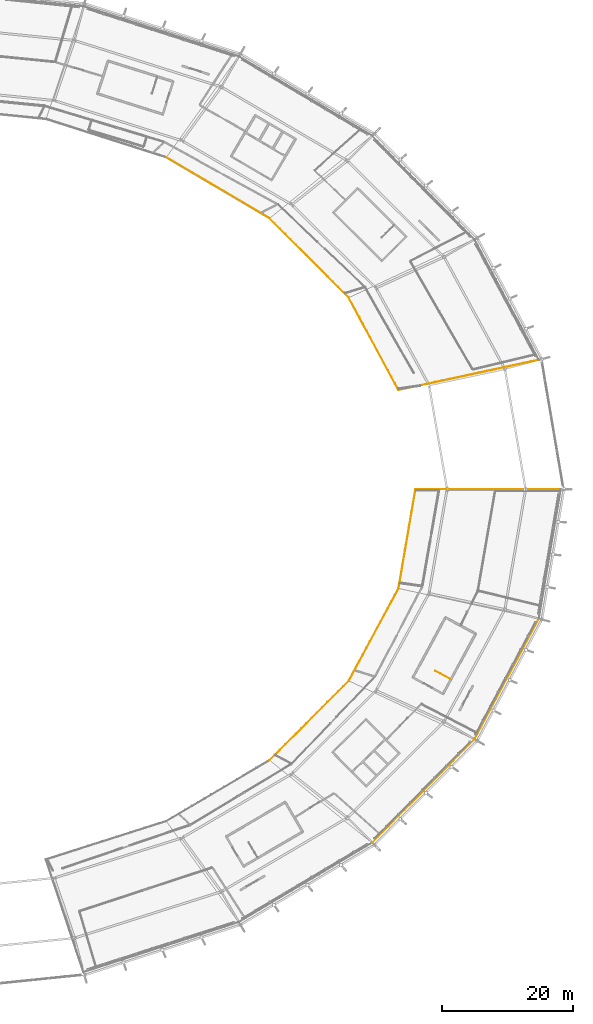
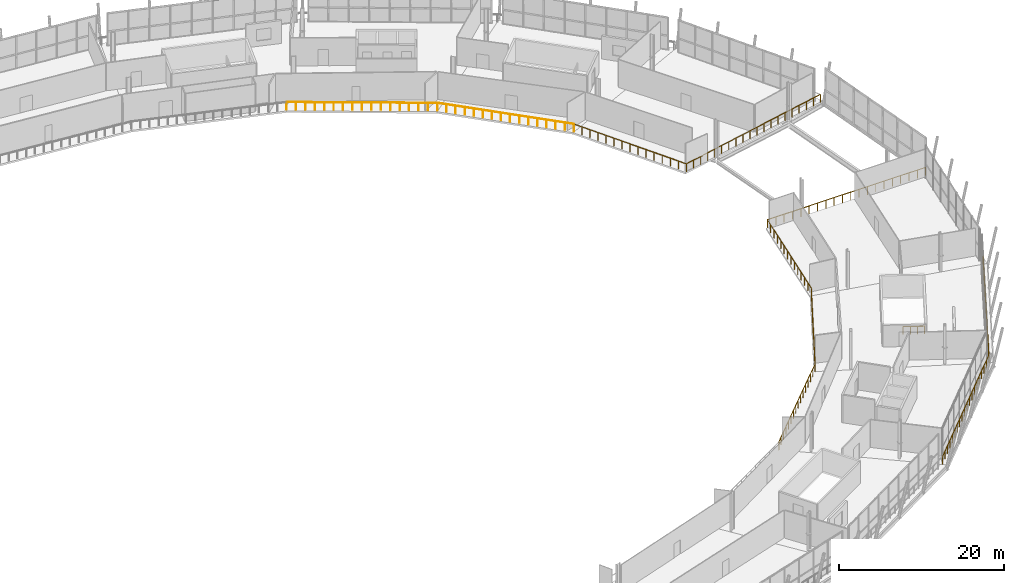
# One storey, part 96 of 99: 11 railings.
"""IFC4 building model written with IfcOpenShell, lengths in metres."""

from ifc_helpers import new_model, si_unit, direction, frame, origin, origin_2d, place, context, subcontext, project, spatial, rectangle, extrude, material, type_object, element, save


model = new_model("IFC4")

# Units and contexts
model_context = context("Model", 3, precision=1e-05, world=origin(), true_north=direction((0.0, 1.0)))
body_context = subcontext(model_context, "Body", "Model", "MODEL_VIEW")
ifc_project = project(units=[si_unit("LENGTHUNIT", "METRE"), si_unit("AREAUNIT", "SQUARE_METRE"), si_unit("VOLUMEUNIT", "CUBIC_METRE"), si_unit("PLANEANGLEUNIT", "RADIAN"), si_unit("MASSUNIT", "GRAM", prefix="KILO")], contexts=[model_context])

# Site, building, storey
site_placement = place(None, origin())
site = spatial("IfcSite", under=ifc_project, at=site_placement, CompositionType="ELEMENT")
building_placement = place(site_placement, origin())
building = spatial("IfcBuilding", under=site, at=building_placement, Name="Zlatoyarsky Gate Stadium", CompositionType="ELEMENT")
storey_placement = place(building_placement, frame((0.0, 0.0, 26.199951171875)))
storey = spatial("IfcBuildingStorey", under=building, at=storey_placement, Name="L05", CompositionType="ELEMENT", Elevation=26.199951171875)

# Railings
ifc_material_1 = material(Name="Powder-coated steel tubular guardrail", Category="steel")
railing_type_1 = type_object("IfcRailingType", Name="CONCOURSE SLAB EDGE GUARDRAIL 1200", PredefinedType="GUARDRAIL", material=ifc_material_1)
railing_1_placement = place(storey_placement, frame((184.584228515625, 95.16162109375, 0.0)))
element("IfcRailing", 1, at=railing_1_placement, inside=storey, type_object=railing_type_1, Name="L05 inner bowl edge guardrail 01", PredefinedType="GUARDRAIL", context=body_context, shape_type="SweptSolid", body=[
    extrude(rectangle(XDim=0.048095703125, YDim=0.048095703125, at=origin_2d()), frame((0.0, 0.0, 1.17578125), z_axis=(-0.474232271998, 0.880399768398, 0.0), x_axis=(-0.880399768398, -0.474232271998, 0.0)), (0.0, 0.0, 1.0), 16.0478515625),
    extrude(rectangle(XDim=0.0419921875, YDim=0.0419921875, at=origin_2d()), origin(), (0.0, 0.0, 1.0), 1.15185546875),
    extrude(rectangle(XDim=0.0419921875, YDim=0.0419921875, at=origin_2d()), frame((-0.543701171875, 1.00927734375, 0.0)), (0.0, 0.0, 1.0), 1.15185546875),
    extrude(rectangle(XDim=0.0419921875, YDim=0.0419921875, at=origin_2d()), frame((-1.087158203125, 2.018310546875, 0.0)), (0.0, 0.0, 1.0), 1.15185546875),
    extrude(rectangle(XDim=0.0419921875, YDim=0.0419921875, at=origin_2d()), frame((-1.630859375, 3.027587890625, 0.0)), (0.0, 0.0, 1.0), 1.15185546875),
    extrude(rectangle(XDim=0.0419921875, YDim=0.0419921875, at=origin_2d()), frame((-2.17431640625, 4.03662109375, 0.0)), (0.0, 0.0, 1.0), 1.15185546875),
    extrude(rectangle(XDim=0.0419921875, YDim=0.0419921875, at=origin_2d()), frame((-2.718017578125, 5.0458984375, 0.0)), (0.0, 0.0, 1.0), 1.15185546875),
    extrude(rectangle(XDim=0.0419921875, YDim=0.0419921875, at=origin_2d()), frame((-3.261474609375, 6.054931640625, 0.0)), (0.0, 0.0, 1.0), 1.15185546875),
    extrude(rectangle(XDim=0.0419921875, YDim=0.0419921875, at=origin_2d()), frame((-3.80517578125, 7.064208984375, 0.0)), (0.0, 0.0, 1.0), 1.15185546875),
    extrude(rectangle(XDim=0.0419921875, YDim=0.0419921875, at=origin_2d()), frame((-4.348876953125, 8.073486328125, 0.0)), (0.0, 0.0, 1.0), 1.15185546875),
    extrude(rectangle(XDim=0.0419921875, YDim=0.0419921875, at=origin_2d()), frame((-4.892333984375, 9.08251953125, 0.0)), (0.0, 0.0, 1.0), 1.15185546875),
    extrude(rectangle(XDim=0.0419921875, YDim=0.0419921875, at=origin_2d()), frame((-5.43603515625, 10.091796875, 0.0)), (0.0, 0.0, 1.0), 1.15185546875),
    extrude(rectangle(XDim=0.0419921875, YDim=0.0419921875, at=origin_2d()), frame((-5.9794921875, 11.100830078125, 0.0)), (0.0, 0.0, 1.0), 1.15185546875),
    extrude(rectangle(XDim=0.0419921875, YDim=0.0419921875, at=origin_2d()), frame((-6.523193359375, 12.110107421875, 0.0)), (0.0, 0.0, 1.0), 1.15185546875),
    extrude(rectangle(XDim=0.0419921875, YDim=0.0419921875, at=origin_2d()), frame((-7.066650390625, 13.119140625, 0.0)), (0.0, 0.0, 1.0), 1.15185546875),
    extrude(rectangle(XDim=0.0419921875, YDim=0.0419921875, at=origin_2d()), frame((-7.6103515625, 14.12841796875, 0.0)), (0.0, 0.0, 1.0), 1.15185546875),
])
railing_2_placement = place(storey_placement, frame((176.973876953125, 109.2900390625, 0.0)))
element("IfcRailing", 2, at=railing_2_placement, inside=storey, type_object=railing_type_1, Name="L05 inner bowl edge guardrail 02", PredefinedType="GUARDRAIL", context=body_context, shape_type="SweptSolid", body=[
    extrude(rectangle(XDim=0.048095703125, YDim=0.048095703125, at=origin_2d()), frame((0.0, 0.0, 1.17578125), z_axis=(-0.706351424842, 0.707861331493, 0.0), x_axis=(-0.707861331493, -0.706351424842, 0.0)), (0.0, 0.0, 1.0), 17.139404296875),
    extrude(rectangle(XDim=0.0419921875, YDim=0.0419921875, at=origin_2d()), origin(), (0.0, 0.0, 1.0), 1.15185546875),
    extrude(rectangle(XDim=0.0419921875, YDim=0.0419921875, at=origin_2d()), frame((-0.80712890625, 0.808837890625, 0.0)), (0.0, 0.0, 1.0), 1.15185546875),
    extrude(rectangle(XDim=0.0419921875, YDim=0.0419921875, at=origin_2d()), frame((-1.6142578125, 1.61767578125, 0.0)), (0.0, 0.0, 1.0), 1.15185546875),
    extrude(rectangle(XDim=0.0419921875, YDim=0.0419921875, at=origin_2d()), frame((-2.42138671875, 2.426513671875, 0.0)), (0.0, 0.0, 1.0), 1.15185546875),
    extrude(rectangle(XDim=0.0419921875, YDim=0.0419921875, at=origin_2d()), frame((-3.228271484375, 3.2353515625, 0.0)), (0.0, 0.0, 1.0), 1.15185546875),
    extrude(rectangle(XDim=0.0419921875, YDim=0.0419921875, at=origin_2d()), frame((-4.035400390625, 4.044189453125, 0.0)), (0.0, 0.0, 1.0), 1.15185546875),
    extrude(rectangle(XDim=0.0419921875, YDim=0.0419921875, at=origin_2d()), frame((-4.842529296875, 4.85302734375, 0.0)), (0.0, 0.0, 1.0), 1.15185546875),
    extrude(rectangle(XDim=0.0419921875, YDim=0.0419921875, at=origin_2d()), frame((-5.649658203125, 5.661865234375, 0.0)), (0.0, 0.0, 1.0), 1.15185546875),
    extrude(rectangle(XDim=0.0419921875, YDim=0.0419921875, at=origin_2d()), frame((-6.456787109375, 6.470458984375, 0.0)), (0.0, 0.0, 1.0), 1.15185546875),
    extrude(rectangle(XDim=0.0419921875, YDim=0.0419921875, at=origin_2d()), frame((-7.263916015625, 7.279296875, 0.0)), (0.0, 0.0, 1.0), 1.15185546875),
    extrude(rectangle(XDim=0.0419921875, YDim=0.0419921875, at=origin_2d()), frame((-8.071044921875, 8.088134765625, 0.0)), (0.0, 0.0, 1.0), 1.15185546875),
    extrude(rectangle(XDim=0.0419921875, YDim=0.0419921875, at=origin_2d()), frame((-8.878173828125, 8.89697265625, 0.0)), (0.0, 0.0, 1.0), 1.15185546875),
    extrude(rectangle(XDim=0.0419921875, YDim=0.0419921875, at=origin_2d()), frame((-9.68505859375, 9.705810546875, 0.0)), (0.0, 0.0, 1.0), 1.15185546875),
    extrude(rectangle(XDim=0.0419921875, YDim=0.0419921875, at=origin_2d()), frame((-10.4921875, 10.5146484375, 0.0)), (0.0, 0.0, 1.0), 1.15185546875),
    extrude(rectangle(XDim=0.0419921875, YDim=0.0419921875, at=origin_2d()), frame((-11.29931640625, 11.323486328125, 0.0)), (0.0, 0.0, 1.0), 1.15185546875),
    extrude(rectangle(XDim=0.0419921875, YDim=0.0419921875, at=origin_2d()), frame((-12.1064453125, 12.13232421875, 0.0)), (0.0, 0.0, 1.0), 1.15185546875),
])
railing_3_placement = place(storey_placement, frame((164.867431640625, 121.42236328125, 0.0)))
element("IfcRailing", 3, at=railing_3_placement, inside=storey, type_object=railing_type_1, Name="L05 inner bowl edge guardrail 03", PredefinedType="GUARDRAIL", context=body_context, shape_type="SweptSolid", body=[
    extrude(rectangle(XDim=0.048095703125, YDim=0.048095703125, at=origin_2d()), frame((0.0, 0.0, 1.17578125), z_axis=(-0.861252692378, 0.508176937563, 0.0), x_axis=(-0.508176937563, -0.861252692378, 0.0)), (0.0, 0.0, 1.0), 18.319091796875),
    extrude(rectangle(XDim=0.0419921875, YDim=0.0419921875, at=origin_2d()), origin(), (0.0, 0.0, 1.0), 1.15185546875),
    extrude(rectangle(XDim=0.0419921875, YDim=0.0419921875, at=origin_2d()), frame((-0.986083984375, 0.581787109375, 0.0)), (0.0, 0.0, 1.0), 1.15185546875),
    extrude(rectangle(XDim=0.0419921875, YDim=0.0419921875, at=origin_2d()), frame((-1.97216796875, 1.16357421875, 0.0)), (0.0, 0.0, 1.0), 1.15185546875),
    extrude(rectangle(XDim=0.0419921875, YDim=0.0419921875, at=origin_2d()), frame((-2.958251953125, 1.74560546875, 0.0)), (0.0, 0.0, 1.0), 1.15185546875),
    extrude(rectangle(XDim=0.0419921875, YDim=0.0419921875, at=origin_2d()), frame((-3.9443359375, 2.327392578125, 0.0)), (0.0, 0.0, 1.0), 1.15185546875),
    extrude(rectangle(XDim=0.0419921875, YDim=0.0419921875, at=origin_2d()), frame((-4.930419921875, 2.9091796875, 0.0)), (0.0, 0.0, 1.0), 1.15185546875),
    extrude(rectangle(XDim=0.0419921875, YDim=0.0419921875, at=origin_2d()), frame((-5.91650390625, 3.490966796875, 0.0)), (0.0, 0.0, 1.0), 1.15185546875),
    extrude(rectangle(XDim=0.0419921875, YDim=0.0419921875, at=origin_2d()), frame((-6.902587890625, 4.07275390625, 0.0)), (0.0, 0.0, 1.0), 1.15185546875),
    extrude(rectangle(XDim=0.0419921875, YDim=0.0419921875, at=origin_2d()), frame((-7.888671875, 4.65478515625, 0.0)), (0.0, 0.0, 1.0), 1.15185546875),
    extrude(rectangle(XDim=0.0419921875, YDim=0.0419921875, at=origin_2d()), frame((-8.874755859375, 5.236572265625, 0.0)), (0.0, 0.0, 1.0), 1.15185546875),
    extrude(rectangle(XDim=0.0419921875, YDim=0.0419921875, at=origin_2d()), frame((-9.86083984375, 5.818359375, 0.0)), (0.0, 0.0, 1.0), 1.15185546875),
    extrude(rectangle(XDim=0.0419921875, YDim=0.0419921875, at=origin_2d()), frame((-10.846923828125, 6.400146484375, 0.0)), (0.0, 0.0, 1.0), 1.15185546875),
    extrude(rectangle(XDim=0.0419921875, YDim=0.0419921875, at=origin_2d()), frame((-11.8330078125, 6.98193359375, 0.0)), (0.0, 0.0, 1.0), 1.15185546875),
    extrude(rectangle(XDim=0.0419921875, YDim=0.0419921875, at=origin_2d()), frame((-12.819091796875, 7.563720703125, 0.0)), (0.0, 0.0, 1.0), 1.15185546875),
    extrude(rectangle(XDim=0.0419921875, YDim=0.0419921875, at=origin_2d()), frame((-13.80517578125, 8.145751953125, 0.0)), (0.0, 0.0, 1.0), 1.15185546875),
    extrude(rectangle(XDim=0.0419921875, YDim=0.0419921875, at=origin_2d()), frame((-14.791259765625, 8.7275390625, 0.0)), (0.0, 0.0, 1.0), 1.15185546875),
    extrude(rectangle(XDim=0.0419921875, YDim=0.0419921875, at=origin_2d()), frame((-15.77734375, 9.309326171875, 0.0)), (0.0, 0.0, 1.0), 1.15185546875),
])
railing_4_placement = place(storey_placement, frame((164.867431640625, 38.57763671875, 0.0)))
element("IfcRailing", 4, at=railing_4_placement, inside=storey, type_object=railing_type_1, Name="L05 inner bowl edge guardrail 21", PredefinedType="GUARDRAIL", context=body_context, shape_type="SweptSolid", body=[
    extrude(rectangle(XDim=0.048095703125, YDim=0.048095703125, at=origin_2d()), frame((0.0, 0.0, 1.17578125), z_axis=(0.706351424842, 0.707861331493, 0.0), x_axis=(-0.707861331493, 0.706351424842, 0.0)), (0.0, 0.0, 1.0), 17.139404296875),
    extrude(rectangle(XDim=0.0419921875, YDim=0.0419921875, at=origin_2d()), origin(), (0.0, 0.0, 1.0), 1.15185546875),
    extrude(rectangle(XDim=0.0419921875, YDim=0.0419921875, at=origin_2d()), frame((0.80712890625, 0.808837890625, 0.0)), (0.0, 0.0, 1.0), 1.15185546875),
    extrude(rectangle(XDim=0.0419921875, YDim=0.0419921875, at=origin_2d()), frame((1.6142578125, 1.61767578125, 0.0)), (0.0, 0.0, 1.0), 1.15185546875),
    extrude(rectangle(XDim=0.0419921875, YDim=0.0419921875, at=origin_2d()), frame((2.42138671875, 2.426513671875, 0.0)), (0.0, 0.0, 1.0), 1.15185546875),
    extrude(rectangle(XDim=0.0419921875, YDim=0.0419921875, at=origin_2d()), frame((3.228271484375, 3.2353515625, 0.0)), (0.0, 0.0, 1.0), 1.15185546875),
    extrude(rectangle(XDim=0.0419921875, YDim=0.0419921875, at=origin_2d()), frame((4.035400390625, 4.044189453125, 0.0)), (0.0, 0.0, 1.0), 1.15185546875),
    extrude(rectangle(XDim=0.0419921875, YDim=0.0419921875, at=origin_2d()), frame((4.842529296875, 4.85302734375, 0.0)), (0.0, 0.0, 1.0), 1.15185546875),
    extrude(rectangle(XDim=0.0419921875, YDim=0.0419921875, at=origin_2d()), frame((5.649658203125, 5.661865234375, 0.0)), (0.0, 0.0, 1.0), 1.15185546875),
    extrude(rectangle(XDim=0.0419921875, YDim=0.0419921875, at=origin_2d()), frame((6.456787109375, 6.470458984375, 0.0)), (0.0, 0.0, 1.0), 1.15185546875),
    extrude(rectangle(XDim=0.0419921875, YDim=0.0419921875, at=origin_2d()), frame((7.263916015625, 7.279296875, 0.0)), (0.0, 0.0, 1.0), 1.15185546875),
    extrude(rectangle(XDim=0.0419921875, YDim=0.0419921875, at=origin_2d()), frame((8.071044921875, 8.088134765625, 0.0)), (0.0, 0.0, 1.0), 1.15185546875),
    extrude(rectangle(XDim=0.0419921875, YDim=0.0419921875, at=origin_2d()), frame((8.878173828125, 8.89697265625, 0.0)), (0.0, 0.0, 1.0), 1.15185546875),
    extrude(rectangle(XDim=0.0419921875, YDim=0.0419921875, at=origin_2d()), frame((9.68505859375, 9.705810546875, 0.0)), (0.0, 0.0, 1.0), 1.15185546875),
    extrude(rectangle(XDim=0.0419921875, YDim=0.0419921875, at=origin_2d()), frame((10.4921875, 10.5146484375, 0.0)), (0.0, 0.0, 1.0), 1.15185546875),
    extrude(rectangle(XDim=0.0419921875, YDim=0.0419921875, at=origin_2d()), frame((11.29931640625, 11.323486328125, 0.0)), (0.0, 0.0, 1.0), 1.15185546875),
    extrude(rectangle(XDim=0.0419921875, YDim=0.0419921875, at=origin_2d()), frame((12.1064453125, 12.13232421875, 0.0)), (0.0, 0.0, 1.0), 1.15185546875),
])
railing_5_placement = place(storey_placement, frame((176.973876953125, 50.7099609375, 0.0)))
element("IfcRailing", 5, at=railing_5_placement, inside=storey, type_object=railing_type_1, Name="L05 inner bowl edge guardrail 22", PredefinedType="GUARDRAIL", context=body_context, shape_type="SweptSolid", body=[
    extrude(rectangle(XDim=0.048095703125, YDim=0.048095703125, at=origin_2d()), frame((0.0, 0.0, 1.17578125), z_axis=(0.474232271998, 0.880399768398, 0.0), x_axis=(-0.880399768398, 0.474232271998, 0.0)), (0.0, 0.0, 1.0), 16.0478515625),
    extrude(rectangle(XDim=0.0419921875, YDim=0.0419921875, at=origin_2d()), origin(), (0.0, 0.0, 1.0), 1.15185546875),
    extrude(rectangle(XDim=0.0419921875, YDim=0.0419921875, at=origin_2d()), frame((0.543701171875, 1.00927734375, 0.0)), (0.0, 0.0, 1.0), 1.15185546875),
    extrude(rectangle(XDim=0.0419921875, YDim=0.0419921875, at=origin_2d()), frame((1.087158203125, 2.018310546875, 0.0)), (0.0, 0.0, 1.0), 1.15185546875),
    extrude(rectangle(XDim=0.0419921875, YDim=0.0419921875, at=origin_2d()), frame((1.630859375, 3.027587890625, 0.0)), (0.0, 0.0, 1.0), 1.15185546875),
    extrude(rectangle(XDim=0.0419921875, YDim=0.0419921875, at=origin_2d()), frame((2.17431640625, 4.03662109375, 0.0)), (0.0, 0.0, 1.0), 1.15185546875),
    extrude(rectangle(XDim=0.0419921875, YDim=0.0419921875, at=origin_2d()), frame((2.718017578125, 5.0458984375, 0.0)), (0.0, 0.0, 1.0), 1.15185546875),
    extrude(rectangle(XDim=0.0419921875, YDim=0.0419921875, at=origin_2d()), frame((3.261474609375, 6.054931640625, 0.0)), (0.0, 0.0, 1.0), 1.15185546875),
    extrude(rectangle(XDim=0.0419921875, YDim=0.0419921875, at=origin_2d()), frame((3.80517578125, 7.064208984375, 0.0)), (0.0, 0.0, 1.0), 1.15185546875),
    extrude(rectangle(XDim=0.0419921875, YDim=0.0419921875, at=origin_2d()), frame((4.348876953125, 8.073486328125, 0.0)), (0.0, 0.0, 1.0), 1.15185546875),
    extrude(rectangle(XDim=0.0419921875, YDim=0.0419921875, at=origin_2d()), frame((4.892333984375, 9.08251953125, 0.0)), (0.0, 0.0, 1.0), 1.15185546875),
    extrude(rectangle(XDim=0.0419921875, YDim=0.0419921875, at=origin_2d()), frame((5.43603515625, 10.091796875, 0.0)), (0.0, 0.0, 1.0), 1.15185546875),
    extrude(rectangle(XDim=0.0419921875, YDim=0.0419921875, at=origin_2d()), frame((5.9794921875, 11.100830078125, 0.0)), (0.0, 0.0, 1.0), 1.15185546875),
    extrude(rectangle(XDim=0.0419921875, YDim=0.0419921875, at=origin_2d()), frame((6.523193359375, 12.110107421875, 0.0)), (0.0, 0.0, 1.0), 1.15185546875),
    extrude(rectangle(XDim=0.0419921875, YDim=0.0419921875, at=origin_2d()), frame((7.066650390625, 13.119140625, 0.0)), (0.0, 0.0, 1.0), 1.15185546875),
    extrude(rectangle(XDim=0.0419921875, YDim=0.0419921875, at=origin_2d()), frame((7.6103515625, 14.12841796875, 0.0)), (0.0, 0.0, 1.0), 1.15185546875),
])
railing_6_placement = place(storey_placement, frame((184.584228515625, 64.83837890625, 0.0)))
element("IfcRailing", 6, at=railing_6_placement, inside=storey, type_object=railing_type_1, Name="L05 inner bowl edge guardrail 23", PredefinedType="GUARDRAIL", context=body_context, shape_type="SweptSolid", body=[
    extrude(rectangle(XDim=0.048095703125, YDim=0.048095703125, at=origin_2d()), frame((0.0, 0.0, 1.17578125), z_axis=(0.168747070892, 0.985659386434, 0.0), x_axis=(-0.985659386434, 0.168747070892, 0.0)), (0.0, 0.0, 1.0), 15.38232421875),
    extrude(rectangle(XDim=0.0419921875, YDim=0.0419921875, at=origin_2d()), origin(), (0.0, 0.0, 1.0), 1.15185546875),
    extrude(rectangle(XDim=0.0419921875, YDim=0.0419921875, at=origin_2d()), frame((0.19970703125, 1.166259765625, 0.0)), (0.0, 0.0, 1.0), 1.15185546875),
    extrude(rectangle(XDim=0.0419921875, YDim=0.0419921875, at=origin_2d()), frame((0.3994140625, 2.33251953125, 0.0)), (0.0, 0.0, 1.0), 1.15185546875),
    extrude(rectangle(XDim=0.0419921875, YDim=0.0419921875, at=origin_2d()), frame((0.59912109375, 3.498779296875, 0.0)), (0.0, 0.0, 1.0), 1.15185546875),
    extrude(rectangle(XDim=0.0419921875, YDim=0.0419921875, at=origin_2d()), frame((0.798583984375, 4.6650390625, 0.0)), (0.0, 0.0, 1.0), 1.15185546875),
    extrude(rectangle(XDim=0.0419921875, YDim=0.0419921875, at=origin_2d()), frame((0.998291015625, 5.831298828125, 0.0)), (0.0, 0.0, 1.0), 1.15185546875),
    extrude(rectangle(XDim=0.0419921875, YDim=0.0419921875, at=origin_2d()), frame((1.197998046875, 6.99755859375, 0.0)), (0.0, 0.0, 1.0), 1.15185546875),
    extrude(rectangle(XDim=0.0419921875, YDim=0.0419921875, at=origin_2d()), frame((1.397705078125, 8.1640625, 0.0)), (0.0, 0.0, 1.0), 1.15185546875),
    extrude(rectangle(XDim=0.0419921875, YDim=0.0419921875, at=origin_2d()), frame((1.597412109375, 9.330322265625, 0.0)), (0.0, 0.0, 1.0), 1.15185546875),
    extrude(rectangle(XDim=0.0419921875, YDim=0.0419921875, at=origin_2d()), frame((1.797119140625, 10.49658203125, 0.0)), (0.0, 0.0, 1.0), 1.15185546875),
    extrude(rectangle(XDim=0.0419921875, YDim=0.0419921875, at=origin_2d()), frame((1.99658203125, 11.662841796875, 0.0)), (0.0, 0.0, 1.0), 1.15185546875),
    extrude(rectangle(XDim=0.0419921875, YDim=0.0419921875, at=origin_2d()), frame((2.1962890625, 12.8291015625, 0.0)), (0.0, 0.0, 1.0), 1.15185546875),
    extrude(rectangle(XDim=0.0419921875, YDim=0.0419921875, at=origin_2d()), frame((2.39599609375, 13.995361328125, 0.0)), (0.0, 0.0, 1.0), 1.15185546875),
    extrude(rectangle(XDim=0.0419921875, YDim=0.0419921875, at=origin_2d()), frame((2.595703125, 15.16162109375, 0.0)), (0.0, 0.0, 1.0), 1.15185546875),
])
railing_7_placement = place(storey_placement, frame((180.563720703125, 25.992431640625, 0.0)))
element("IfcRailing", 7, at=railing_7_placement, inside=storey, type_object=railing_type_1, Name="L05 outer slab edge guardrail 21", PredefinedType="GUARDRAIL", context=body_context, shape_type="SweptSolid", body=[
    extrude(rectangle(XDim=0.048095703125, YDim=0.048095703125, at=origin_2d()), frame((0.0, 0.0, 1.17578125), z_axis=(0.702956276309, 0.711233065596, 0.0), x_axis=(-0.711233065596, 0.702956276309, 0.0)), (0.0, 0.0, 1.0), 22.24072265625),
    extrude(rectangle(XDim=0.0419921875, YDim=0.0419921875, at=origin_2d()), origin(), (0.0, 0.0, 1.0), 1.15185546875),
    extrude(rectangle(XDim=0.0419921875, YDim=0.0419921875, at=origin_2d()), frame((0.82275390625, 0.83251953125, 0.0)), (0.0, 0.0, 1.0), 1.15185546875),
    extrude(rectangle(XDim=0.0419921875, YDim=0.0419921875, at=origin_2d()), frame((1.645751953125, 1.6650390625, 0.0)), (0.0, 0.0, 1.0), 1.15185546875),
    extrude(rectangle(XDim=0.0419921875, YDim=0.0419921875, at=origin_2d()), frame((2.468505859375, 2.49755859375, 0.0)), (0.0, 0.0, 1.0), 1.15185546875),
    extrude(rectangle(XDim=0.0419921875, YDim=0.0419921875, at=origin_2d()), frame((3.29150390625, 3.330078125, 0.0)), (0.0, 0.0, 1.0), 1.15185546875),
    extrude(rectangle(XDim=0.0419921875, YDim=0.0419921875, at=origin_2d()), frame((4.1142578125, 4.162841796875, 0.0)), (0.0, 0.0, 1.0), 1.15185546875),
    extrude(rectangle(XDim=0.0419921875, YDim=0.0419921875, at=origin_2d()), frame((4.937255859375, 4.995361328125, 0.0)), (0.0, 0.0, 1.0), 1.15185546875),
    extrude(rectangle(XDim=0.0419921875, YDim=0.0419921875, at=origin_2d()), frame((5.760009765625, 5.827880859375, 0.0)), (0.0, 0.0, 1.0), 1.15185546875),
    extrude(rectangle(XDim=0.0419921875, YDim=0.0419921875, at=origin_2d()), frame((6.582763671875, 6.660400390625, 0.0)), (0.0, 0.0, 1.0), 1.15185546875),
    extrude(rectangle(XDim=0.0419921875, YDim=0.0419921875, at=origin_2d()), frame((7.40576171875, 7.492919921875, 0.0)), (0.0, 0.0, 1.0), 1.15185546875),
    extrude(rectangle(XDim=0.0419921875, YDim=0.0419921875, at=origin_2d()), frame((8.228515625, 8.325439453125, 0.0)), (0.0, 0.0, 1.0), 1.15185546875),
    extrude(rectangle(XDim=0.0419921875, YDim=0.0419921875, at=origin_2d()), frame((9.051513671875, 9.157958984375, 0.0)), (0.0, 0.0, 1.0), 1.15185546875),
    extrude(rectangle(XDim=0.0419921875, YDim=0.0419921875, at=origin_2d()), frame((9.874267578125, 9.990478515625, 0.0)), (0.0, 0.0, 1.0), 1.15185546875),
    extrude(rectangle(XDim=0.0419921875, YDim=0.0419921875, at=origin_2d()), frame((10.697021484375, 10.822998046875, 0.0)), (0.0, 0.0, 1.0), 1.15185546875),
    extrude(rectangle(XDim=0.0419921875, YDim=0.0419921875, at=origin_2d()), frame((11.52001953125, 11.655517578125, 0.0)), (0.0, 0.0, 1.0), 1.15185546875),
    extrude(rectangle(XDim=0.0419921875, YDim=0.0419921875, at=origin_2d()), frame((12.3427734375, 12.48828125, 0.0)), (0.0, 0.0, 1.0), 1.15185546875),
    extrude(rectangle(XDim=0.0419921875, YDim=0.0419921875, at=origin_2d()), frame((13.165771484375, 13.32080078125, 0.0)), (0.0, 0.0, 1.0), 1.15185546875),
    extrude(rectangle(XDim=0.0419921875, YDim=0.0419921875, at=origin_2d()), frame((13.988525390625, 14.1533203125, 0.0)), (0.0, 0.0, 1.0), 1.15185546875),
    extrude(rectangle(XDim=0.0419921875, YDim=0.0419921875, at=origin_2d()), frame((14.8115234375, 14.98583984375, 0.0)), (0.0, 0.0, 1.0), 1.15185546875),
    extrude(rectangle(XDim=0.0419921875, YDim=0.0419921875, at=origin_2d()), frame((15.63427734375, 15.818359375, 0.0)), (0.0, 0.0, 1.0), 1.15185546875),
])
railing_8_placement = place(storey_placement, frame((196.197998046875, 41.810791015625, 0.0)))
element("IfcRailing", 8, at=railing_8_placement, inside=storey, type_object=railing_type_1, Name="L05 outer slab edge guardrail 22", PredefinedType="GUARDRAIL", context=body_context, shape_type="SweptSolid", body=[
    extrude(rectangle(XDim=0.048095703125, YDim=0.048095703125, at=origin_2d()), frame((0.0, 0.0, 1.17578125), z_axis=(0.470710220527, 0.882287871554, 0.0), x_axis=(-0.882287871554, 0.470710220527, 0.0)), (0.0, 0.0, 1.0), 20.87890625),
    extrude(rectangle(XDim=0.0419921875, YDim=0.0419921875, at=origin_2d()), origin(), (0.0, 0.0, 1.0), 1.15185546875),
    extrude(rectangle(XDim=0.0419921875, YDim=0.0419921875, at=origin_2d()), frame((0.5458984375, 1.0234375, 0.0)), (0.0, 0.0, 1.0), 1.15185546875),
    extrude(rectangle(XDim=0.0419921875, YDim=0.0419921875, at=origin_2d()), frame((1.092041015625, 2.046875, 0.0)), (0.0, 0.0, 1.0), 1.15185546875),
    extrude(rectangle(XDim=0.0419921875, YDim=0.0419921875, at=origin_2d()), frame((1.637939453125, 3.0703125, 0.0)), (0.0, 0.0, 1.0), 1.15185546875),
    extrude(rectangle(XDim=0.0419921875, YDim=0.0419921875, at=origin_2d()), frame((2.18408203125, 4.093505859375, 0.0)), (0.0, 0.0, 1.0), 1.15185546875),
    extrude(rectangle(XDim=0.0419921875, YDim=0.0419921875, at=origin_2d()), frame((2.72998046875, 5.116943359375, 0.0)), (0.0, 0.0, 1.0), 1.15185546875),
    extrude(rectangle(XDim=0.0419921875, YDim=0.0419921875, at=origin_2d()), frame((3.27587890625, 6.140380859375, 0.0)), (0.0, 0.0, 1.0), 1.15185546875),
    extrude(rectangle(XDim=0.0419921875, YDim=0.0419921875, at=origin_2d()), frame((3.822021484375, 7.163818359375, 0.0)), (0.0, 0.0, 1.0), 1.15185546875),
    extrude(rectangle(XDim=0.0419921875, YDim=0.0419921875, at=origin_2d()), frame((4.367919921875, 8.187255859375, 0.0)), (0.0, 0.0, 1.0), 1.15185546875),
    extrude(rectangle(XDim=0.0419921875, YDim=0.0419921875, at=origin_2d()), frame((4.9140625, 9.21044921875, 0.0)), (0.0, 0.0, 1.0), 1.15185546875),
    extrude(rectangle(XDim=0.0419921875, YDim=0.0419921875, at=origin_2d()), frame((5.4599609375, 10.23388671875, 0.0)), (0.0, 0.0, 1.0), 1.15185546875),
    extrude(rectangle(XDim=0.0419921875, YDim=0.0419921875, at=origin_2d()), frame((6.005859375, 11.25732421875, 0.0)), (0.0, 0.0, 1.0), 1.15185546875),
    extrude(rectangle(XDim=0.0419921875, YDim=0.0419921875, at=origin_2d()), frame((6.552001953125, 12.28076171875, 0.0)), (0.0, 0.0, 1.0), 1.15185546875),
    extrude(rectangle(XDim=0.0419921875, YDim=0.0419921875, at=origin_2d()), frame((7.097900390625, 13.30419921875, 0.0)), (0.0, 0.0, 1.0), 1.15185546875),
    extrude(rectangle(XDim=0.0419921875, YDim=0.0419921875, at=origin_2d()), frame((7.643798828125, 14.32763671875, 0.0)), (0.0, 0.0, 1.0), 1.15185546875),
    extrude(rectangle(XDim=0.0419921875, YDim=0.0419921875, at=origin_2d()), frame((8.18994140625, 15.35107421875, 0.0)), (0.0, 0.0, 1.0), 1.15185546875),
    extrude(rectangle(XDim=0.0419921875, YDim=0.0419921875, at=origin_2d()), frame((8.73583984375, 16.374267578125, 0.0)), (0.0, 0.0, 1.0), 1.15185546875),
    extrude(rectangle(XDim=0.0419921875, YDim=0.0419921875, at=origin_2d()), frame((9.281982421875, 17.397705078125, 0.0)), (0.0, 0.0, 1.0), 1.15185546875),
    extrude(rectangle(XDim=0.0419921875, YDim=0.0419921875, at=origin_2d()), frame((9.827880859375, 18.421142578125, 0.0)), (0.0, 0.0, 1.0), 1.15185546875),
])
railing_9_placement = place(storey_placement, frame((187.199951171875, 80.0, 0.0)))
element("IfcRailing", 9, at=railing_9_placement, inside=storey, type_object=railing_type_1, Name="L05 gate arch radial guardrail 00A", PredefinedType="GUARDRAIL", context=body_context, shape_type="SweptSolid", body=[
    extrude(rectangle(XDim=0.048095703125, YDim=0.048095703125, at=origin_2d()), frame((0.0, 0.0, 1.17578125), z_axis=(1.0, 0.0, 0.0), x_axis=(0.0, 1.0, 0.0)), (0.0, 0.0, 1.0), 22.17822265625),
    extrude(rectangle(XDim=0.0419921875, YDim=0.0419921875, at=origin_2d()), origin(), (0.0, 0.0, 1.0), 1.15185546875),
    extrude(rectangle(XDim=0.0419921875, YDim=0.0419921875, at=origin_2d()), frame((1.167236328125, 0.0, 0.0)), (0.0, 0.0, 1.0), 1.15185546875),
    extrude(rectangle(XDim=0.0419921875, YDim=0.0419921875, at=origin_2d()), frame((2.33447265625, 0.0, 0.0)), (0.0, 0.0, 1.0), 1.15185546875),
    extrude(rectangle(XDim=0.0419921875, YDim=0.0419921875, at=origin_2d()), frame((3.501708984375, 0.0, 0.0)), (0.0, 0.0, 1.0), 1.15185546875),
    extrude(rectangle(XDim=0.0419921875, YDim=0.0419921875, at=origin_2d()), frame((4.669189453125, 0.0, 0.0)), (0.0, 0.0, 1.0), 1.15185546875),
    extrude(rectangle(XDim=0.0419921875, YDim=0.0419921875, at=origin_2d()), frame((5.83642578125, 0.0, 0.0)), (0.0, 0.0, 1.0), 1.15185546875),
    extrude(rectangle(XDim=0.0419921875, YDim=0.0419921875, at=origin_2d()), frame((7.003662109375, 0.0, 0.0)), (0.0, 0.0, 1.0), 1.15185546875),
    extrude(rectangle(XDim=0.0419921875, YDim=0.0419921875, at=origin_2d()), frame((8.1708984375, 0.0, 0.0)), (0.0, 0.0, 1.0), 1.15185546875),
    extrude(rectangle(XDim=0.0419921875, YDim=0.0419921875, at=origin_2d()), frame((9.338134765625, 0.0, 0.0)), (0.0, 0.0, 1.0), 1.15185546875),
    extrude(rectangle(XDim=0.0419921875, YDim=0.0419921875, at=origin_2d()), frame((10.50537109375, 0.0, 0.0)), (0.0, 0.0, 1.0), 1.15185546875),
    extrude(rectangle(XDim=0.0419921875, YDim=0.0419921875, at=origin_2d()), frame((11.6728515625, 0.0, 0.0)), (0.0, 0.0, 1.0), 1.15185546875),
    extrude(rectangle(XDim=0.0419921875, YDim=0.0419921875, at=origin_2d()), frame((12.840087890625, 0.0, 0.0)), (0.0, 0.0, 1.0), 1.15185546875),
    extrude(rectangle(XDim=0.0419921875, YDim=0.0419921875, at=origin_2d()), frame((14.00732421875, 0.0, 0.0)), (0.0, 0.0, 1.0), 1.15185546875),
    extrude(rectangle(XDim=0.0419921875, YDim=0.0419921875, at=origin_2d()), frame((15.174560546875, 0.0, 0.0)), (0.0, 0.0, 1.0), 1.15185546875),
    extrude(rectangle(XDim=0.0419921875, YDim=0.0419921875, at=origin_2d()), frame((16.341796875, 0.0, 0.0)), (0.0, 0.0, 1.0), 1.15185546875),
    extrude(rectangle(XDim=0.0419921875, YDim=0.0419921875, at=origin_2d()), frame((17.509033203125, 0.0, 0.0)), (0.0, 0.0, 1.0), 1.15185546875),
    extrude(rectangle(XDim=0.0419921875, YDim=0.0419921875, at=origin_2d()), frame((18.676513671875, 0.0, 0.0)), (0.0, 0.0, 1.0), 1.15185546875),
    extrude(rectangle(XDim=0.0419921875, YDim=0.0419921875, at=origin_2d()), frame((19.84375, 0.0, 0.0)), (0.0, 0.0, 1.0), 1.15185546875),
    extrude(rectangle(XDim=0.0419921875, YDim=0.0419921875, at=origin_2d()), frame((21.010986328125, 0.0, 0.0)), (0.0, 0.0, 1.0), 1.15185546875),
    extrude(rectangle(XDim=0.0419921875, YDim=0.0419921875, at=origin_2d()), frame((22.17822265625, 0.0, 0.0)), (0.0, 0.0, 1.0), 1.15185546875),
])
railing_10_placement = place(storey_placement, frame((184.603515625, 95.166748046875, 0.0)))
element("IfcRailing", 10, at=railing_10_placement, inside=storey, type_object=railing_type_1, Name="L05 gate arch radial guardrail 00B", PredefinedType="GUARDRAIL", context=body_context, shape_type="SweptSolid", body=[
    extrude(rectangle(XDim=0.048095703125, YDim=0.048095703125, at=origin_2d()), frame((0.0, 0.0, 1.17578125), z_axis=(0.977701203345, 0.210000849947, 0.0), x_axis=(-0.210000849947, 0.977701203345, 0.0)), (0.0, 0.0, 1.0), 21.910888671875),
    extrude(rectangle(XDim=0.0419921875, YDim=0.0419921875, at=origin_2d()), origin(), (0.0, 0.0, 1.0), 1.15185546875),
    extrude(rectangle(XDim=0.0419921875, YDim=0.0419921875, at=origin_2d()), frame((1.12744140625, 0.2421875, 0.0)), (0.0, 0.0, 1.0), 1.15185546875),
    extrude(rectangle(XDim=0.0419921875, YDim=0.0419921875, at=origin_2d()), frame((2.2548828125, 0.484375, 0.0)), (0.0, 0.0, 1.0), 1.15185546875),
    extrude(rectangle(XDim=0.0419921875, YDim=0.0419921875, at=origin_2d()), frame((3.382568359375, 0.7265625, 0.0)), (0.0, 0.0, 1.0), 1.15185546875),
    extrude(rectangle(XDim=0.0419921875, YDim=0.0419921875, at=origin_2d()), frame((4.510009765625, 0.96875, 0.0)), (0.0, 0.0, 1.0), 1.15185546875),
    extrude(rectangle(XDim=0.0419921875, YDim=0.0419921875, at=origin_2d()), frame((5.637451171875, 1.2109375, 0.0)), (0.0, 0.0, 1.0), 1.15185546875),
    extrude(rectangle(XDim=0.0419921875, YDim=0.0419921875, at=origin_2d()), frame((6.764892578125, 1.453125, 0.0)), (0.0, 0.0, 1.0), 1.15185546875),
    extrude(rectangle(XDim=0.0419921875, YDim=0.0419921875, at=origin_2d()), frame((7.892333984375, 1.6953125, 0.0)), (0.0, 0.0, 1.0), 1.15185546875),
    extrude(rectangle(XDim=0.0419921875, YDim=0.0419921875, at=origin_2d()), frame((9.02001953125, 1.9375, 0.0)), (0.0, 0.0, 1.0), 1.15185546875),
    extrude(rectangle(XDim=0.0419921875, YDim=0.0419921875, at=origin_2d()), frame((10.1474609375, 2.1796875, 0.0)), (0.0, 0.0, 1.0), 1.15185546875),
    extrude(rectangle(XDim=0.0419921875, YDim=0.0419921875, at=origin_2d()), frame((11.27490234375, 2.421630859375, 0.0)), (0.0, 0.0, 1.0), 1.15185546875),
    extrude(rectangle(XDim=0.0419921875, YDim=0.0419921875, at=origin_2d()), frame((12.40234375, 2.663818359375, 0.0)), (0.0, 0.0, 1.0), 1.15185546875),
    extrude(rectangle(XDim=0.0419921875, YDim=0.0419921875, at=origin_2d()), frame((13.530029296875, 2.906005859375, 0.0)), (0.0, 0.0, 1.0), 1.15185546875),
    extrude(rectangle(XDim=0.0419921875, YDim=0.0419921875, at=origin_2d()), frame((14.657470703125, 3.148193359375, 0.0)), (0.0, 0.0, 1.0), 1.15185546875),
    extrude(rectangle(XDim=0.0419921875, YDim=0.0419921875, at=origin_2d()), frame((15.784912109375, 3.390380859375, 0.0)), (0.0, 0.0, 1.0), 1.15185546875),
    extrude(rectangle(XDim=0.0419921875, YDim=0.0419921875, at=origin_2d()), frame((16.912353515625, 3.632568359375, 0.0)), (0.0, 0.0, 1.0), 1.15185546875),
    extrude(rectangle(XDim=0.0419921875, YDim=0.0419921875, at=origin_2d()), frame((18.039794921875, 3.874755859375, 0.0)), (0.0, 0.0, 1.0), 1.15185546875),
    extrude(rectangle(XDim=0.0419921875, YDim=0.0419921875, at=origin_2d()), frame((19.16748046875, 4.116943359375, 0.0)), (0.0, 0.0, 1.0), 1.15185546875),
    extrude(rectangle(XDim=0.0419921875, YDim=0.0419921875, at=origin_2d()), frame((20.294921875, 4.359130859375, 0.0)), (0.0, 0.0, 1.0), 1.15185546875),
    extrude(rectangle(XDim=0.0419921875, YDim=0.0419921875, at=origin_2d()), frame((21.42236328125, 4.601318359375, 0.0)), (0.0, 0.0, 1.0), 1.15185546875),
])
ifc_material_2 = material(Name="Powder-coated steel stair guardrail", Category="steel")
railing_type_2 = type_object("IfcRailingType", Name="PAINTED STEEL STAIR WELL GUARDRAIL 1150", PredefinedType="GUARDRAIL", material=ifc_material_2)
railing_11_placement = place(storey_placement, frame((192.47900390625, 51.01025390625, 0.0)))
element("IfcRailing", 11, at=railing_11_placement, inside=storey, type_object=railing_type_2, Name="ST-12 L05 top well guard 1", PredefinedType="GUARDRAIL", context=body_context, shape_type="SweptSolid", body=[
    extrude(rectangle(XDim=0.048095703125, YDim=0.048095703125, at=origin_2d()), frame((0.0, 0.0, 1.1259765625), z_axis=(-0.878937789073, 0.476936434904, 0.0), x_axis=(-0.476936434904, -0.878937789073, 0.0)), (0.0, 0.0, 1.0), 2.599853515625),
    extrude(rectangle(XDim=0.0419921875, YDim=0.0419921875, at=origin_2d()), origin(), (0.0, 0.0, 1.0), 1.101806640625),
    extrude(rectangle(XDim=0.0419921875, YDim=0.0419921875, at=origin_2d()), frame((-0.76171875, 0.413330078125, 0.0)), (0.0, 0.0, 1.0), 1.101806640625),
    extrude(rectangle(XDim=0.0419921875, YDim=0.0419921875, at=origin_2d()), frame((-1.5234375, 0.82666015625, 0.0)), (0.0, 0.0, 1.0), 1.101806640625),
    extrude(rectangle(XDim=0.0419921875, YDim=0.0419921875, at=origin_2d()), frame((-2.28515625, 1.239990234375, 0.0)), (0.0, 0.0, 1.0), 1.101806640625),
])

save(model, "model.ifc")
